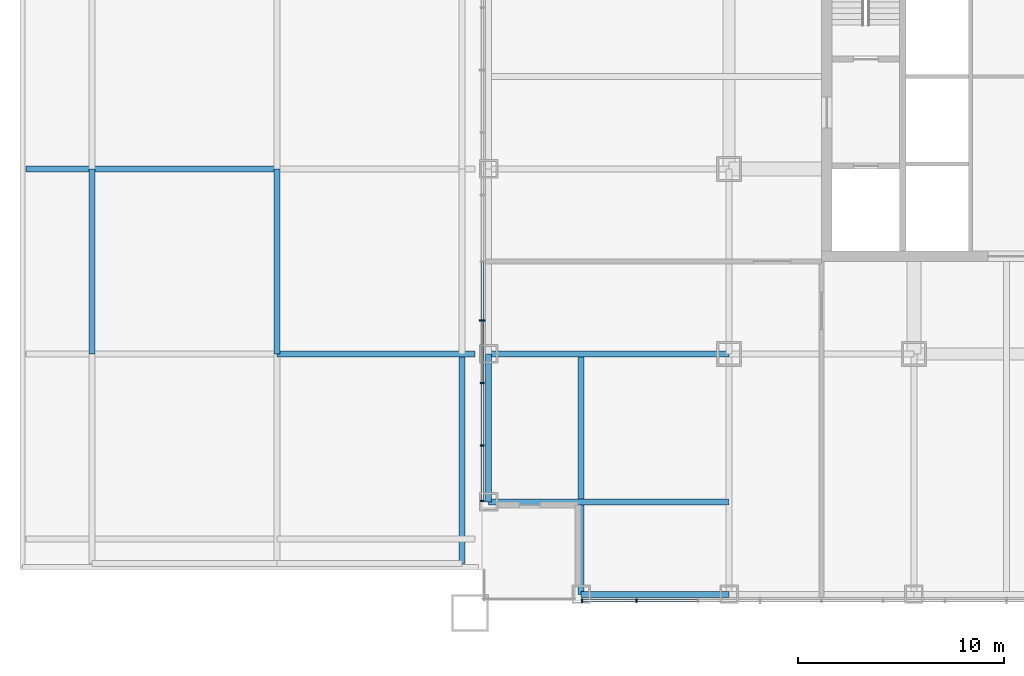
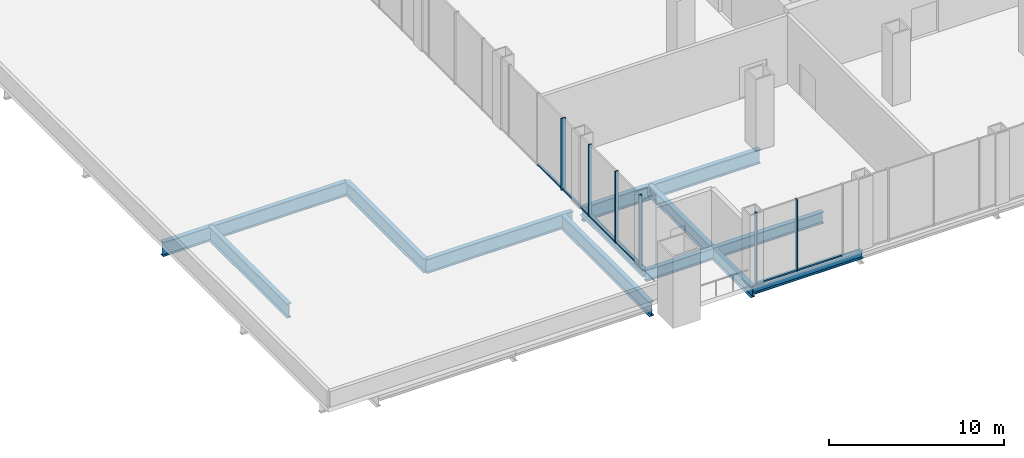
# One storey, part 2 of 16: 12 members, 10 beams, 2 elements without a shape of their own.
"""IFC4 building model written with IfcOpenShell, lengths in metres."""

from ifc_helpers import new_model, si_unit, direction, frame, origin, origin_2d, place, context, subcontext, project, spatial, rectangle, i_section, extrude, material, layer, layer_set, material_profile, profile_set, type_object, element, aggregate, save


model = new_model("IFC4")

# Units and contexts
model_context = context("Model", 3, precision=1e-05, world=origin(), true_north=direction((0.0, 1.0)))
body_context = subcontext(model_context, "Body", "Model", "MODEL_VIEW")
ifc_project = project(units=[si_unit("LENGTHUNIT", "METRE"), si_unit("AREAUNIT", "SQUARE_METRE"), si_unit("VOLUMEUNIT", "CUBIC_METRE"), si_unit("PLANEANGLEUNIT", "RADIAN"), si_unit("MASSUNIT", "GRAM", prefix="KILO")], contexts=[model_context])

# Site, building, storey
site_placement = place(None, origin())
site = spatial("IfcSite", under=ifc_project, at=site_placement, CompositionType="ELEMENT")
building_placement = place(site_placement, origin())
building = spatial("IfcBuilding", under=site, at=building_placement, Name="Malebo Sky Hospital", CompositionType="ELEMENT")
storey_placement = place(building_placement, frame((0.0, 0.0, 26.0)))
storey = spatial("IfcBuildingStorey", under=building, at=storey_placement, Name="L05", CompositionType="ELEMENT", Elevation=26.0)

# Curtain wall, members
ifc_material_1 = material(Name="Anodised aluminium, natural silver", Category="aluminium")
ifc_layer = layer(ifc_material_1, 0.25)
ifc_layer_set = layer_set([ifc_layer], Name="PLANT LOUVRE SCREEN")
curtain_wall_type = type_object("IfcCurtainWallType", Name="PLANT LOUVRE SCREEN", PredefinedType="NOTDEFINED", material=ifc_layer_set)
curtain_wall_1_placement = place(storey_placement, origin())
curtain_wall_1 = element("IfcCurtainWall", 1, at=curtain_wall_1_placement, inside=storey, type_object=curtain_wall_type, Name="PLANT curtain wall W", PredefinedType="NOTDEFINED")
ifc_material_profile_1 = material_profile(ifc_material_1, rectangle(XDim=0.14990234375, YDim=0.10009765625, at=origin_2d()), Name="ALUMINIUM TRANSOM 150x100")
ifc_profile_set_1 = profile_set([ifc_material_profile_1], Name="Anodised aluminium, natural silver")
member_type_1 = type_object("IfcMemberType", Name="ALUMINIUM TRANSOM 150x100", PredefinedType="USERDEFINED", material=ifc_profile_set_1)
member_1_placement = place(storey_placement, frame((34.5, 41.375, 0.050048828125), z_axis=(0.0, 1.0, 0.0), x_axis=(-1.0, 0.0, 0.0)))
member_1 = element("IfcMember", 2, at=member_1_placement, type_object=member_type_1, Name="Transom 1", ObjectType="TRANSOM", PredefinedType="USERDEFINED", context=body_context, shape_type="SweptSolid", body=[
    extrude(rectangle(XDim=0.14990234375, YDim=0.10009765625, at=origin_2d()), origin(), (0.0, 0.0, 1.0), 2.6337890625),
])
member_2_placement = place(storey_placement, frame((34.5, 44.083740234375, 0.050048828125), z_axis=(0.0, 1.0, 0.0), x_axis=(-1.0, 0.0, 0.0)))
member_2 = element("IfcMember", 3, at=member_2_placement, type_object=member_type_1, Name="Transom 2", ObjectType="TRANSOM", PredefinedType="USERDEFINED", context=body_context, shape_type="SweptSolid", body=[
    extrude(rectangle(XDim=0.14990234375, YDim=0.10009765625, at=origin_2d()), origin(), (0.0, 0.0, 1.0), 2.970947265625),
])
member_3_placement = place(storey_placement, frame((34.5, 47.1298828125, 0.050048828125), z_axis=(0.0, 1.0, 0.0), x_axis=(-1.0, 0.0, 0.0)))
member_3 = element("IfcMember", 4, at=member_3_placement, type_object=member_type_1, Name="Transom 3", ObjectType="TRANSOM", PredefinedType="USERDEFINED", context=body_context, shape_type="SweptSolid", body=[
    extrude(rectangle(XDim=0.14990234375, YDim=0.10009765625, at=origin_2d()), origin(), (0.0, 0.0, 1.0), 2.97119140625),
])
member_4_placement = place(storey_placement, frame((34.5, 50.176025390625, 0.050048828125), z_axis=(0.0, 1.0, 0.0), x_axis=(-1.0, 0.0, 0.0)))
member_4 = element("IfcMember", 5, at=member_4_placement, type_object=member_type_1, Name="Transom 4", ObjectType="TRANSOM", PredefinedType="USERDEFINED", context=body_context, shape_type="SweptSolid", body=[
    extrude(rectangle(XDim=0.14990234375, YDim=0.10009765625, at=origin_2d()), origin(), (0.0, 0.0, 1.0), 2.786376953125),
])

curtain_wall_2_placement = place(storey_placement, origin())
curtain_wall_2 = element("IfcCurtainWall", 6, at=curtain_wall_2_placement, inside=storey, type_object=curtain_wall_type, Name="PLANT curtain wall S", PredefinedType="NOTDEFINED")
member_5_placement = place(storey_placement, frame((44.96240234375, 36.5, 0.050048828125), z_axis=(-1.0, 0.0, 0.0), x_axis=(0.0, -1.0, 0.0)))
member_5 = element("IfcMember", 7, at=member_5_placement, type_object=member_type_1, Name="Transom 13", ObjectType="TRANSOM", PredefinedType="USERDEFINED", context=body_context, shape_type="SweptSolid", body=[
    extrude(rectangle(XDim=0.14990234375, YDim=0.10009765625, at=origin_2d()), origin(), (0.0, 0.0, 1.0), 2.9248046875),
])
member_6_placement = place(storey_placement, frame((41.96240234375, 36.5, 0.050048828125), z_axis=(-1.0, 0.0, 0.0), x_axis=(0.0, -1.0, 0.0)))
member_6 = element("IfcMember", 8, at=member_6_placement, type_object=member_type_1, Name="Transom 14", ObjectType="TRANSOM", PredefinedType="USERDEFINED", context=body_context, shape_type="SweptSolid", body=[
    extrude(rectangle(XDim=0.14990234375, YDim=0.10009765625, at=origin_2d()), origin(), (0.0, 0.0, 1.0), 2.58740234375),
])

# Member
ifc_material_profile_2 = material_profile(ifc_material_1, rectangle(XDim=0.074951171875, YDim=0.199951171875, at=origin_2d()), Name="CW5 ALUMINIUM FIN MULLION 75x200")
ifc_profile_set_2 = profile_set([ifc_material_profile_2], Name="Anodised aluminium, natural silver")
member_type_2 = type_object("IfcMemberType", Name="CW5 ALUMINIUM FIN MULLION 75x200", PredefinedType="MULLION", material=ifc_profile_set_2)
member_7_placement = place(storey_placement, frame((34.5, 41.33740234375, 0.0), z_axis=(0.0, 0.0, 1.0), x_axis=(0.0, 1.0, 0.0)))
member_7 = element("IfcMember", 9, at=member_7_placement, type_object=member_type_2, Name="Fin mullion 1", PredefinedType="MULLION", context=body_context, shape_type="SweptSolid", body=[
    extrude(rectangle(XDim=0.074951171875, YDim=0.199951171875, at=origin_2d()), origin(), (0.0, 0.0, 1.0), 5.0),
])

member_8_placement = place(storey_placement, frame((34.5, 44.046142578125, 0.0), z_axis=(0.0, 0.0, 1.0), x_axis=(0.0, 1.0, 0.0)))
member_8 = element("IfcMember", 10, at=member_8_placement, type_object=member_type_2, Name="Fin mullion 2", PredefinedType="MULLION", context=body_context, shape_type="SweptSolid", body=[
    extrude(rectangle(XDim=0.074951171875, YDim=0.199951171875, at=origin_2d()), origin(), (0.0, 0.0, 1.0), 5.0),
])

member_9_placement = place(storey_placement, frame((34.5, 47.09228515625, 0.0), z_axis=(0.0, 0.0, 1.0), x_axis=(0.0, 1.0, 0.0)))
member_9 = element("IfcMember", 11, at=member_9_placement, type_object=member_type_2, Name="Fin mullion 3", PredefinedType="MULLION", context=body_context, shape_type="SweptSolid", body=[
    extrude(rectangle(XDim=0.074951171875, YDim=0.199951171875, at=origin_2d()), origin(), (0.0, 0.0, 1.0), 5.0),
])

member_10_placement = place(storey_placement, frame((42.0, 36.5, 0.0), z_axis=(0.0, 0.0, 1.0), x_axis=(-1.0, 0.0, 0.0)))
member_10 = element("IfcMember", 12, at=member_10_placement, type_object=member_type_2, Name="Fin mullion 14", PredefinedType="MULLION", context=body_context, shape_type="SweptSolid", body=[
    extrude(rectangle(XDim=0.074951171875, YDim=0.199951171875, at=origin_2d()), origin(), (0.0, 0.0, 1.0), 5.0),
])

member_11_placement = place(storey_placement, frame((39.33740234375, 36.5, 0.0), z_axis=(0.0, 0.0, 1.0), x_axis=(-1.0, 0.0, 0.0)))
member_11 = element("IfcMember", 13, at=member_11_placement, type_object=member_type_2, Name="Fin mullion 15", PredefinedType="MULLION", context=body_context, shape_type="SweptSolid", body=[
    extrude(rectangle(XDim=0.074951171875, YDim=0.199951171875, at=origin_2d()), origin(), (0.0, 0.0, 1.0), 5.0),
])

aggregate(curtain_wall_2, [member_10, member_11, member_5, member_6])

ifc_material_profile_3 = material_profile(ifc_material_1, rectangle(XDim=0.074951171875, YDim=0.300048828125, at=origin_2d()), Name="CW5 ALUMINIUM FIN MULLION 75x300")
ifc_profile_set_3 = profile_set([ifc_material_profile_3], Name="Anodised aluminium, natural silver")
member_type_3 = type_object("IfcMemberType", Name="CW5 ALUMINIUM FIN MULLION 75x300", PredefinedType="MULLION", material=ifc_profile_set_3)
member_12_placement = place(storey_placement, frame((34.5, 50.138427734375, 0.0), z_axis=(0.0, 0.0, 1.0), x_axis=(0.0, 1.0, 0.0)))
member_12 = element("IfcMember", 14, at=member_12_placement, type_object=member_type_3, Name="Fin mullion 4", PredefinedType="MULLION", context=body_context, shape_type="SweptSolid", body=[
    extrude(rectangle(XDim=0.074951171875, YDim=0.300048828125, at=origin_2d()), origin(), (0.0, 0.0, 1.0), 5.0),
])

aggregate(curtain_wall_1, [member_7, member_8, member_9, member_12, member_1, member_2, member_3, member_4])

# Beams
ifc_material_2 = material(Name="Steel S355", Category="steel")
ifc_material_profile_4 = material_profile(ifc_material_2, i_section(OverallWidth=0.305908203125, OverallDepth=0.52392578125, WebThickness=0.02099609375, FlangeThickness=0.0400390625, FilletRadius=0.027099609375, at=origin_2d()), Name="HEM 500")
ifc_profile_set_4 = profile_set([ifc_material_profile_4], Name="Steel S355")
beam_type_1 = type_object("IfcBeamType", Name="EDGE BEAM HEM 500", PredefinedType="BEAM", material=ifc_profile_set_4)
for number, where, z_axis, x_axis, name in (
    (15, (34.800048828125, 41.300048828125, -0.56201171875), (0.0, 1.0, 0.0), (-1.0, 0.0, 0.0), "Beam 000 L05"),
    (16, (39.300048828125, 36.800048828125, -0.56201171875), (1.0, 0.0, 0.0), (0.0, 1.0, 0.0), "Beam 034 L05"),
):
    element("IfcBeam", number, at=place(storey_placement, frame(where, z_axis=z_axis, x_axis=x_axis)), inside=storey, type_object=beam_type_1, Name=name, PredefinedType="BEAM", context=body_context, shape_type="SweptSolid", body=[
        extrude(i_section(OverallWidth=0.305908203125, OverallDepth=0.52392578125, WebThickness=0.02099609375, FlangeThickness=0.0400390625, FilletRadius=0.027099609375, at=origin_2d()), origin(), (0.0, 0.0, 1.0), 7.199951171875),
    ])
ifc_material_profile_5 = material_profile(ifc_material_2, i_section(OverallWidth=0.300048828125, OverallDepth=1.0, WebThickness=0.01904296875, FlangeThickness=0.035888671875, FilletRadius=0.030029296875, at=origin_2d()), Name="HEB 1000")
ifc_profile_set_5 = profile_set([ifc_material_profile_5], Name="Steel S355")
beam_type_2 = type_object("IfcBeamType", Name="FLOOR BEAM HEB 1000", PredefinedType="BEAM", material=ifc_profile_set_5)
for number, where, z_axis, x_axis, name in (
    (17, (15.5, 48.5, -0.800048828125), (0.0, 1.0, 0.0), (-1.0, 0.0, 0.0), "Beam W002 L05"),
    (18, (24.5, 48.5, -0.800048828125), (0.0, 1.0, 0.0), (-1.0, 0.0, 0.0), "Beam W007 L05"),
):
    element("IfcBeam", number, at=place(storey_placement, frame(where, z_axis=z_axis, x_axis=x_axis)), inside=storey, type_object=beam_type_2, Name=name, PredefinedType="BEAM", context=body_context, shape_type="SweptSolid", body=[
        extrude(i_section(OverallWidth=0.300048828125, OverallDepth=1.0, WebThickness=0.01904296875, FlangeThickness=0.035888671875, FilletRadius=0.030029296875, at=origin_2d()), origin(), (0.0, 0.0, 1.0), 9.0),
    ])
beam_1_placement = place(storey_placement, frame((33.5, 38.300048828125, -0.800048828125), z_axis=(0.0, 1.0, 0.0), x_axis=(-1.0, 0.0, 0.0)))
element("IfcBeam", 19, at=beam_1_placement, inside=storey, type_object=beam_type_2, Name="Beam W011 L05", PredefinedType="BEAM", context=body_context, shape_type="SweptSolid", body=[
    extrude(i_section(OverallWidth=0.300048828125, OverallDepth=1.0, WebThickness=0.01904296875, FlangeThickness=0.035888671875, FilletRadius=0.030029296875, at=origin_2d()), origin(), (0.0, 0.0, 1.0), 10.199951171875),
])
beam_2_placement = place(storey_placement, frame((24.5, 48.5, -0.800048828125), z_axis=(1.0, 0.0, 0.0), x_axis=(0.0, 1.0, 0.0)))
element("IfcBeam", 20, at=beam_2_placement, inside=storey, type_object=beam_type_2, Name="Beam W019 L05", PredefinedType="BEAM", context=body_context, shape_type="SweptSolid", body=[
    extrude(i_section(OverallWidth=0.300048828125, OverallDepth=1.0, WebThickness=0.01904296875, FlangeThickness=0.035888671875, FilletRadius=0.030029296875, at=origin_2d()), origin(), (0.0, 0.0, 1.0), 9.64990234375),
])
beam_3_placement = place(storey_placement, frame((12.300048828125, 57.5, -0.800048828125), z_axis=(1.0, 0.0, 0.0), x_axis=(0.0, 1.0, 0.0)))
element("IfcBeam", 21, at=beam_3_placement, inside=storey, type_object=beam_type_2, Name="Beam W020 L05", PredefinedType="BEAM", context=body_context, shape_type="SweptSolid", body=[
    extrude(i_section(OverallWidth=0.300048828125, OverallDepth=1.0, WebThickness=0.01904296875, FlangeThickness=0.035888671875, FilletRadius=0.030029296875, at=origin_2d()), origin(), (0.0, 0.0, 1.0), 12.199951171875),
])
ifc_material_profile_6 = material_profile(ifc_material_2, i_section(OverallWidth=0.300048828125, OverallDepth=0.800048828125, WebThickness=0.017578125, FlangeThickness=0.032958984375, FilletRadius=0.030029296875, at=origin_2d()), Name="HEB 800")
ifc_profile_set_6 = profile_set([ifc_material_profile_6], Name="Steel S355")
beam_type_3 = type_object("IfcBeamType", Name="FLOOR BEAM HEB 800", PredefinedType="BEAM", material=ifc_profile_set_6)
for number, where, z_axis, x_axis, name in (
    (22, (39.300048828125, 36.800048828125, -0.699951171875), (0.0, 1.0, 0.0), (-1.0, 0.0, 0.0), "Beam 005 L05"),
    (23, (34.800048828125, 41.300048828125, -0.699951171875), (1.0, 0.0, 0.0), (0.0, 1.0, 0.0), "Beam 039 L05"),
):
    element("IfcBeam", number, at=place(storey_placement, frame(where, z_axis=z_axis, x_axis=x_axis)), inside=storey, type_object=beam_type_3, Name=name, PredefinedType="BEAM", context=body_context, shape_type="SweptSolid", body=[
        extrude(i_section(OverallWidth=0.300048828125, OverallDepth=0.800048828125, WebThickness=0.017578125, FlangeThickness=0.032958984375, FilletRadius=0.030029296875, at=origin_2d()), origin(), (0.0, 0.0, 1.0), 11.699951171875),
    ])
ifc_material_profile_7 = material_profile(ifc_material_2, i_section(OverallWidth=0.300048828125, OverallDepth=1.0, WebThickness=0.01904296875, FlangeThickness=0.035888671875, FilletRadius=0.030029296875, at=origin_2d()), Name="HEB 1000")
ifc_profile_set_7 = profile_set([ifc_material_profile_7], Name="Steel S355")
beam_type_4 = type_object("IfcBeamType", Name="FLOOR GIRDER HEB 1000", PredefinedType="BEAM", material=ifc_profile_set_7)
beam_4_placement = place(storey_placement, frame((34.800048828125, 48.5, -0.800048828125), z_axis=(1.0, 0.0, 0.0), x_axis=(0.0, 1.0, 0.0)))
element("IfcBeam", 24, at=beam_4_placement, inside=storey, type_object=beam_type_4, Name="Beam 041 L05", PredefinedType="BEAM", context=body_context, shape_type="SweptSolid", body=[
    extrude(i_section(OverallWidth=0.300048828125, OverallDepth=1.0, WebThickness=0.01904296875, FlangeThickness=0.035888671875, FilletRadius=0.030029296875, at=origin_2d()), origin(), (0.0, 0.0, 1.0), 11.699951171875),
])

save(model, "model.ifc")
